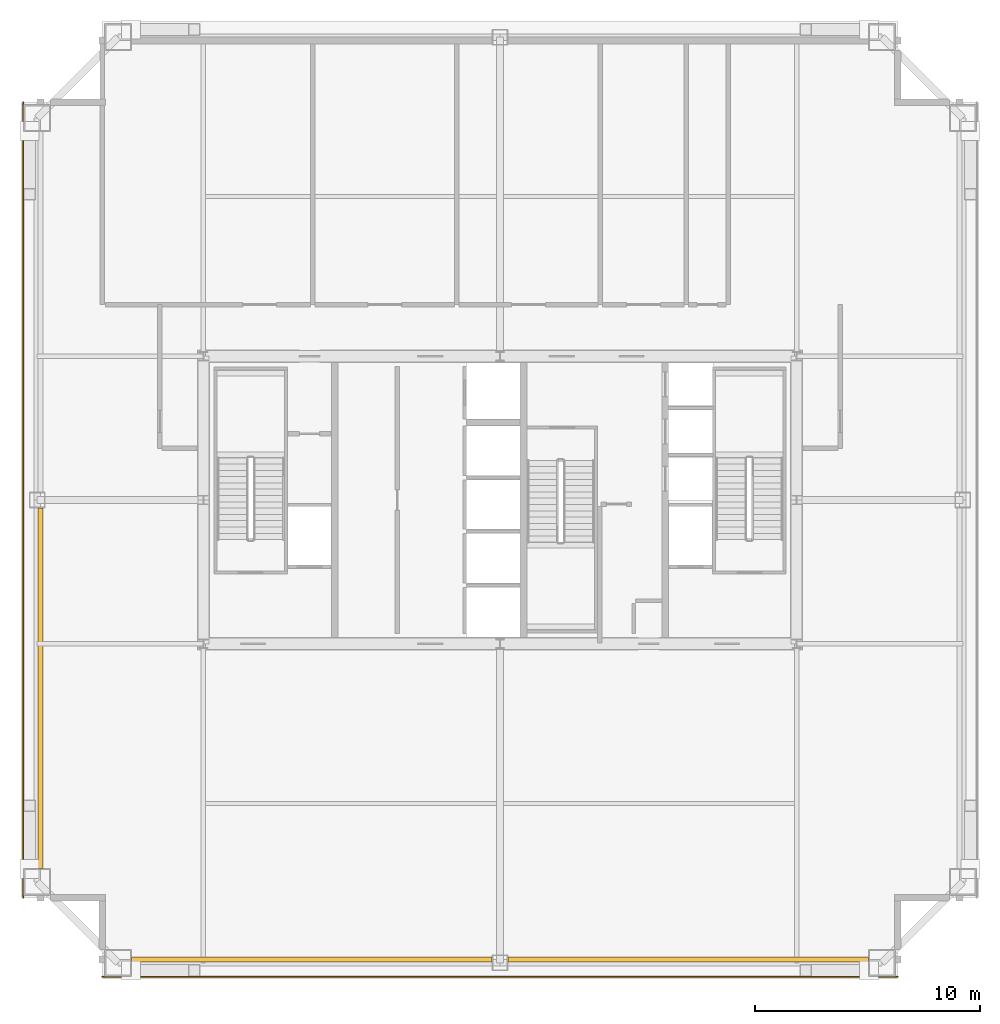
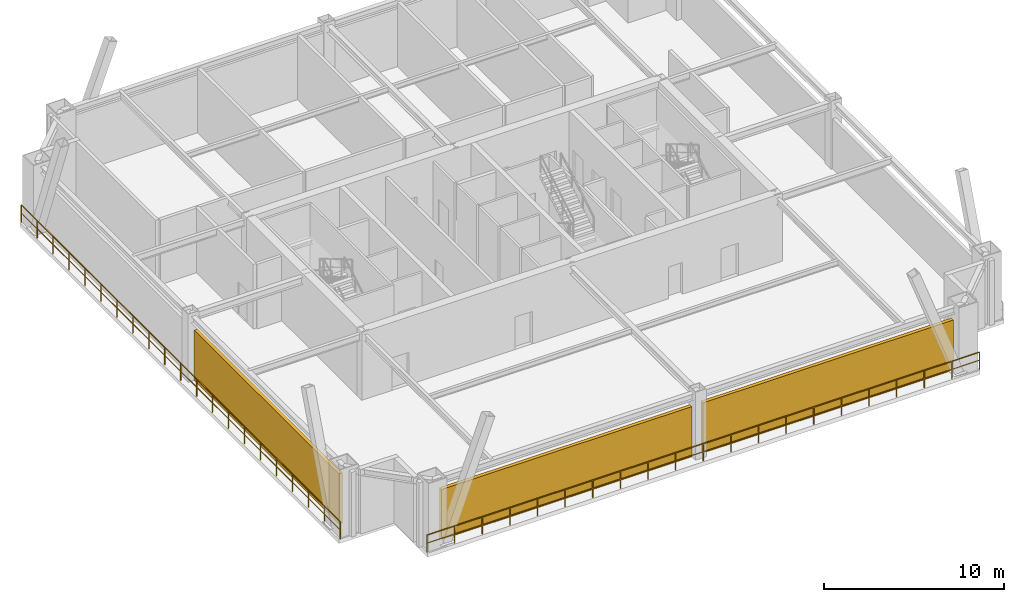
# One storey, part 6 of 8: 3 shading devices, 2 railings.
"""IFC4 building model written with IfcOpenShell, lengths in metres."""

from ifc_helpers import new_model, si_unit, direction, frame, origin, origin_2d, place, context, subcontext, project, spatial, rectangle, extrude, source, transform, mapped, material, layer, layer_set, type_object, element, save


model = new_model("IFC4")

# Units and contexts
model_context = context("Model", 3, precision=1e-05, world=origin(), true_north=direction((0.0, 1.0)))
body_context = subcontext(model_context, "Body", "Model", "MODEL_VIEW")
ifc_project = project(units=[si_unit("LENGTHUNIT", "METRE"), si_unit("AREAUNIT", "SQUARE_METRE"), si_unit("VOLUMEUNIT", "CUBIC_METRE"), si_unit("PLANEANGLEUNIT", "RADIAN"), si_unit("MASSUNIT", "GRAM", prefix="KILO"), si_unit("THERMODYNAMICTEMPERATUREUNIT", "KELVIN"), si_unit("POWERUNIT", "WATT")], contexts=[model_context])

# Site, building, storey
site_placement = place(None, origin())
site = spatial("IfcSite", under=ifc_project, at=site_placement, CompositionType="ELEMENT")
building_placement = place(site_placement, origin())
building = spatial("IfcBuilding", under=site, at=building_placement, Name="Yuzanri Waterfront Tower", CompositionType="ELEMENT")
storey_placement = place(building_placement, frame((0.0, 0.0, 263.5)))
storey = spatial("IfcBuildingStorey", under=building, at=storey_placement, Name="L70", CompositionType="ELEMENT", Elevation=263.5)

# Shading devices
ifc_material_1 = material(Name="Anodized Architectural Bronze", Category="metal")
ifc_layer_1 = layer(ifc_material_1, 0.219970703125)
ifc_layer_set_1 = layer_set([ifc_layer_1], Name="Anodized Architectural Bronze")
shading_device_type = type_object("IfcShadingDeviceType", Name="Anodized Bronze Refuge Wind-Diffusing Louvre Screen 220", PredefinedType="USERDEFINED", material=ifc_layer_set_1)
shared_shape_1 = source(origin(), body_context, "Body", "SweptSolid", [
    extrude(rectangle(XDim=16.050048828125, YDim=0.219970703125, at=origin_2d()), origin(), (0.0, 0.0, 1.0), 3.39990234375),
])
for number, where, z_axis, x_axis, name in (
    (1, (28.625, 5.35009765625, 0.0), (0.0, 0.0, 1.0), (1.0, 0.0, 0.0), "L70 Wind-Diffusing Refuge Louvre SL"),
    (2, (45.375, 5.35009765625, 0.0), (0.0, 0.0, 1.0), (1.0, 0.0, 0.0), "L70 Wind-Diffusing Refuge Louvre SR"),
):
    element("IfcShadingDevice", number, at=place(storey_placement, frame(where, z_axis=z_axis, x_axis=x_axis)), inside=storey, type_object=shading_device_type, Name=name, ObjectType="LOUVRE", PredefinedType="USERDEFINED", context=body_context, shape_type="MappedRepresentation", body=[
        mapped(shared_shape_1, transform((0.0, 0.0, 0.0), scale=1.0)),
    ])
shared_shape_2 = source(origin(), body_context, "Body", "SweptSolid", [
    extrude(rectangle(XDim=0.219970703125, YDim=16.050048828125, at=origin_2d()), origin(), (0.0, 0.0, 1.0), 3.39990234375),
])
shading_device_placement = place(storey_placement, frame((16.550048828125, 17.425048828125, 0.0), z_axis=(0.0, 0.0, 1.0), x_axis=(1.0, 0.0, 0.0)))
element("IfcShadingDevice", 3, at=shading_device_placement, inside=storey, type_object=shading_device_type, Name="L70 Wind-Diffusing Refuge Louvre WL", ObjectType="LOUVRE", PredefinedType="USERDEFINED", context=body_context, shape_type="MappedRepresentation", body=[
    mapped(shared_shape_2, transform((0.0, 0.0, 0.0), scale=1.0)),
])

# Railings
ifc_material_2 = material(Name="Anodized Architectural Bronze", Category="metal")
ifc_layer_2 = layer(ifc_material_2, 0.080078125)
ifc_layer_set_2 = layer_set([ifc_layer_2], Name="Anodized Architectural Bronze")
railing_type = type_object("IfcRailingType", Name="Laminated Glass and Bronze Balcony Guardrail 1200", PredefinedType="BALUSTRADE", material=ifc_layer_set_2)
shared_shape_3 = source(origin(), body_context, "Body", "SweptSolid", [
    extrude(rectangle(XDim=0.050048828125, YDim=0.050048828125, at=origin_2d()), frame((0.0, 0.0, 1.1748046875), z_axis=(1.0, 0.0, 0.0), x_axis=(0.0, 1.0, 0.0)), (0.0, 0.0, 1.0), 35.39990234375),
    extrude(rectangle(XDim=0.035888671875, YDim=0.030029296875, at=origin_2d()), frame((0.0, 0.0, 0.6240234375), z_axis=(1.0, 0.0, 0.0), x_axis=(0.0, 1.0, 0.0)), (0.0, 0.0, 1.0), 35.39990234375),
    extrude(rectangle(XDim=0.0458984375, YDim=0.0458984375, at=origin_2d()), origin(), (0.0, 0.0, 1.0), 1.14990234375),
    extrude(rectangle(XDim=0.0458984375, YDim=0.0458984375, at=origin_2d()), frame((1.77001953125, 0.0, 0.0)), (0.0, 0.0, 1.0), 1.14990234375),
    extrude(rectangle(XDim=0.0458984375, YDim=0.0458984375, at=origin_2d()), frame((3.5400390625, 0.0, 0.0)), (0.0, 0.0, 1.0), 1.14990234375),
    extrude(rectangle(XDim=0.0458984375, YDim=0.0458984375, at=origin_2d()), frame((5.31005859375, 0.0, 0.0)), (0.0, 0.0, 1.0), 1.14990234375),
    extrude(rectangle(XDim=0.0458984375, YDim=0.0458984375, at=origin_2d()), frame((7.080078125, 0.0, 0.0)), (0.0, 0.0, 1.0), 1.14990234375),
    extrude(rectangle(XDim=0.0458984375, YDim=0.0458984375, at=origin_2d()), frame((8.85009765625, 0.0, 0.0)), (0.0, 0.0, 1.0), 1.14990234375),
    extrude(rectangle(XDim=0.0458984375, YDim=0.0458984375, at=origin_2d()), frame((10.619873046875, 0.0, 0.0)), (0.0, 0.0, 1.0), 1.14990234375),
    extrude(rectangle(XDim=0.0458984375, YDim=0.0458984375, at=origin_2d()), frame((12.389892578125, 0.0, 0.0)), (0.0, 0.0, 1.0), 1.14990234375),
    extrude(rectangle(XDim=0.0458984375, YDim=0.0458984375, at=origin_2d()), frame((14.159912109375, 0.0, 0.0)), (0.0, 0.0, 1.0), 1.14990234375),
    extrude(rectangle(XDim=0.0458984375, YDim=0.0458984375, at=origin_2d()), frame((15.929931640625, 0.0, 0.0)), (0.0, 0.0, 1.0), 1.14990234375),
    extrude(rectangle(XDim=0.0458984375, YDim=0.0458984375, at=origin_2d()), frame((17.699951171875, 0.0, 0.0)), (0.0, 0.0, 1.0), 1.14990234375),
    extrude(rectangle(XDim=0.0458984375, YDim=0.0458984375, at=origin_2d()), frame((19.469970703125, 0.0, 0.0)), (0.0, 0.0, 1.0), 1.14990234375),
    extrude(rectangle(XDim=0.0458984375, YDim=0.0458984375, at=origin_2d()), frame((21.239990234375, 0.0, 0.0)), (0.0, 0.0, 1.0), 1.14990234375),
    extrude(rectangle(XDim=0.0458984375, YDim=0.0458984375, at=origin_2d()), frame((23.010009765625, 0.0, 0.0)), (0.0, 0.0, 1.0), 1.14990234375),
    extrude(rectangle(XDim=0.0458984375, YDim=0.0458984375, at=origin_2d()), frame((24.780029296875, 0.0, 0.0)), (0.0, 0.0, 1.0), 1.14990234375),
    extrude(rectangle(XDim=0.0458984375, YDim=0.0458984375, at=origin_2d()), frame((26.5498046875, 0.0, 0.0)), (0.0, 0.0, 1.0), 1.14990234375),
    extrude(rectangle(XDim=0.0458984375, YDim=0.0458984375, at=origin_2d()), frame((28.31982421875, 0.0, 0.0)), (0.0, 0.0, 1.0), 1.14990234375),
    extrude(rectangle(XDim=0.0458984375, YDim=0.0458984375, at=origin_2d()), frame((30.08984375, 0.0, 0.0)), (0.0, 0.0, 1.0), 1.14990234375),
    extrude(rectangle(XDim=0.0458984375, YDim=0.0458984375, at=origin_2d()), frame((31.85986328125, 0.0, 0.0)), (0.0, 0.0, 1.0), 1.14990234375),
    extrude(rectangle(XDim=0.0458984375, YDim=0.0458984375, at=origin_2d()), frame((33.6298828125, 0.0, 0.0)), (0.0, 0.0, 1.0), 1.14990234375),
    extrude(rectangle(XDim=0.0458984375, YDim=0.0458984375, at=origin_2d()), frame((35.39990234375, 0.0, 0.0)), (0.0, 0.0, 1.0), 1.14990234375),
])
railing_1_placement = place(storey_placement, frame((19.300048828125, 4.580078125, 0.0)))
element("IfcRailing", 4, at=railing_1_placement, inside=storey, type_object=railing_type, Name="L70 South Refuge Edge Guard", PredefinedType="BALUSTRADE", context=body_context, shape_type="MappedRepresentation", body=[
    mapped(shared_shape_3, transform((0.0, 0.0, 0.0), scale=1.0)),
])
shared_shape_4 = source(origin(), body_context, "Body", "SweptSolid", [
    extrude(rectangle(XDim=0.050048828125, YDim=0.050048828125, at=origin_2d()), frame((0.0, 0.0, 1.1748046875), z_axis=(0.0, 1.0, 0.0), x_axis=(-1.0, 0.0, 0.0)), (0.0, 0.0, 1.0), 35.39990234375),
    extrude(rectangle(XDim=0.035888671875, YDim=0.030029296875, at=origin_2d()), frame((0.0, 0.0, 0.6240234375), z_axis=(0.0, 1.0, 0.0), x_axis=(-1.0, 0.0, 0.0)), (0.0, 0.0, 1.0), 35.39990234375),
    extrude(rectangle(XDim=0.0458984375, YDim=0.0458984375, at=origin_2d()), origin(), (0.0, 0.0, 1.0), 1.14990234375),
    extrude(rectangle(XDim=0.0458984375, YDim=0.0458984375, at=origin_2d()), frame((0.0, 1.77001953125, 0.0)), (0.0, 0.0, 1.0), 1.14990234375),
    extrude(rectangle(XDim=0.0458984375, YDim=0.0458984375, at=origin_2d()), frame((0.0, 3.5400390625, 0.0)), (0.0, 0.0, 1.0), 1.14990234375),
    extrude(rectangle(XDim=0.0458984375, YDim=0.0458984375, at=origin_2d()), frame((0.0, 5.31005859375, 0.0)), (0.0, 0.0, 1.0), 1.14990234375),
    extrude(rectangle(XDim=0.0458984375, YDim=0.0458984375, at=origin_2d()), frame((0.0, 7.080078125, 0.0)), (0.0, 0.0, 1.0), 1.14990234375),
    extrude(rectangle(XDim=0.0458984375, YDim=0.0458984375, at=origin_2d()), frame((0.0, 8.85009765625, 0.0)), (0.0, 0.0, 1.0), 1.14990234375),
    extrude(rectangle(XDim=0.0458984375, YDim=0.0458984375, at=origin_2d()), frame((0.0, 10.619873046875, 0.0)), (0.0, 0.0, 1.0), 1.14990234375),
    extrude(rectangle(XDim=0.0458984375, YDim=0.0458984375, at=origin_2d()), frame((0.0, 12.389892578125, 0.0)), (0.0, 0.0, 1.0), 1.14990234375),
    extrude(rectangle(XDim=0.0458984375, YDim=0.0458984375, at=origin_2d()), frame((0.0, 14.159912109375, 0.0)), (0.0, 0.0, 1.0), 1.14990234375),
    extrude(rectangle(XDim=0.0458984375, YDim=0.0458984375, at=origin_2d()), frame((0.0, 15.929931640625, 0.0)), (0.0, 0.0, 1.0), 1.14990234375),
    extrude(rectangle(XDim=0.0458984375, YDim=0.0458984375, at=origin_2d()), frame((0.0, 17.699951171875, 0.0)), (0.0, 0.0, 1.0), 1.14990234375),
    extrude(rectangle(XDim=0.0458984375, YDim=0.0458984375, at=origin_2d()), frame((0.0, 19.469970703125, 0.0)), (0.0, 0.0, 1.0), 1.14990234375),
    extrude(rectangle(XDim=0.0458984375, YDim=0.0458984375, at=origin_2d()), frame((0.0, 21.239990234375, 0.0)), (0.0, 0.0, 1.0), 1.14990234375),
    extrude(rectangle(XDim=0.0458984375, YDim=0.0458984375, at=origin_2d()), frame((0.0, 23.010009765625, 0.0)), (0.0, 0.0, 1.0), 1.14990234375),
    extrude(rectangle(XDim=0.0458984375, YDim=0.0458984375, at=origin_2d()), frame((0.0, 24.780029296875, 0.0)), (0.0, 0.0, 1.0), 1.14990234375),
    extrude(rectangle(XDim=0.0458984375, YDim=0.0458984375, at=origin_2d()), frame((0.0, 26.5498046875, 0.0)), (0.0, 0.0, 1.0), 1.14990234375),
    extrude(rectangle(XDim=0.0458984375, YDim=0.0458984375, at=origin_2d()), frame((0.0, 28.31982421875, 0.0)), (0.0, 0.0, 1.0), 1.14990234375),
    extrude(rectangle(XDim=0.0458984375, YDim=0.0458984375, at=origin_2d()), frame((0.0, 30.08984375, 0.0)), (0.0, 0.0, 1.0), 1.14990234375),
    extrude(rectangle(XDim=0.0458984375, YDim=0.0458984375, at=origin_2d()), frame((0.0, 31.85986328125, 0.0)), (0.0, 0.0, 1.0), 1.14990234375),
    extrude(rectangle(XDim=0.0458984375, YDim=0.0458984375, at=origin_2d()), frame((0.0, 33.6298828125, 0.0)), (0.0, 0.0, 1.0), 1.14990234375),
    extrude(rectangle(XDim=0.0458984375, YDim=0.0458984375, at=origin_2d()), frame((0.0, 35.39990234375, 0.0)), (0.0, 0.0, 1.0), 1.14990234375),
])
railing_2_placement = place(storey_placement, frame((15.780029296875, 8.10009765625, 0.0)))
element("IfcRailing", 5, at=railing_2_placement, inside=storey, type_object=railing_type, Name="L70 West Refuge Edge Guard", PredefinedType="BALUSTRADE", context=body_context, shape_type="MappedRepresentation", body=[
    mapped(shared_shape_4, transform((0.0, 0.0, 0.0), scale=1.0)),
])

save(model, "model.ifc")
